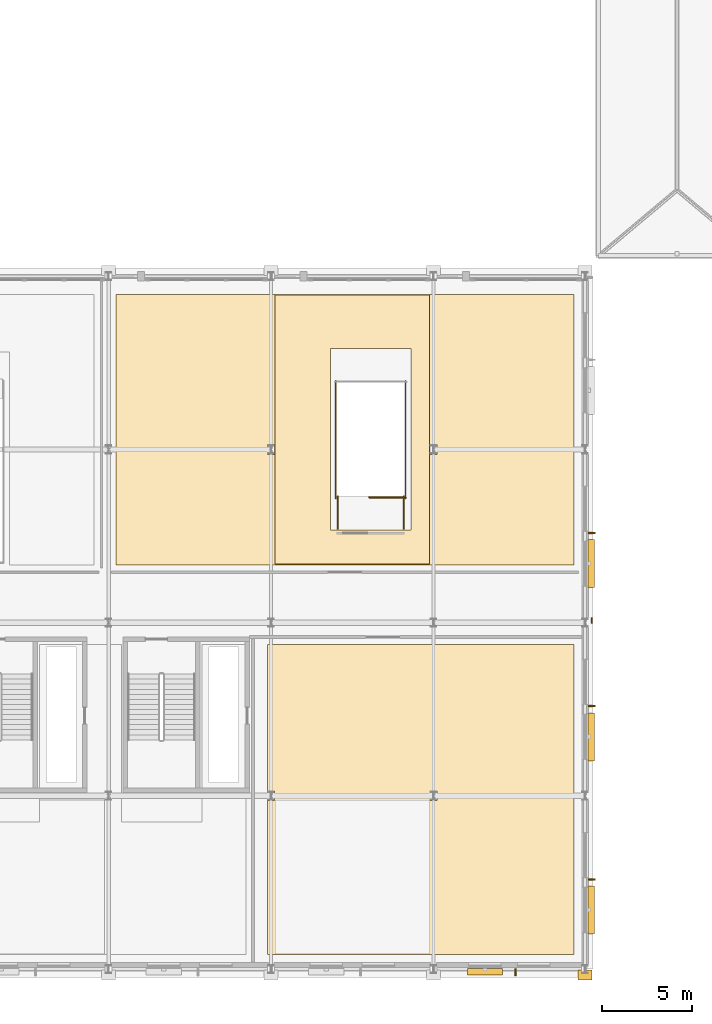
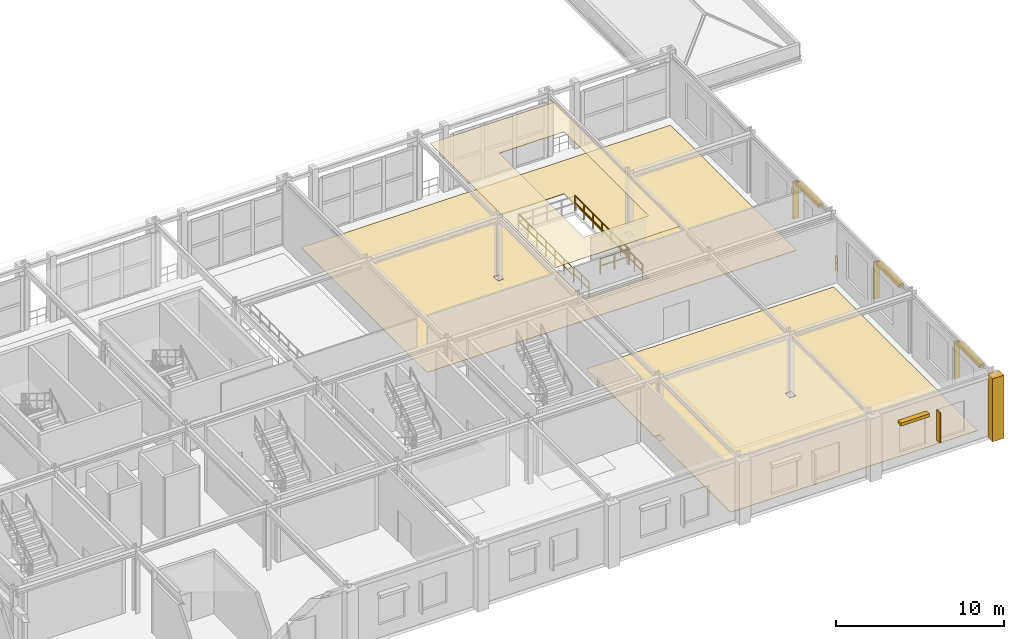
# One storey, part 115 of 125: 8 shading devices, 7 railings, 4 coverings.
"""IFC4 building model written with IfcOpenShell, lengths in metres."""

from ifc_helpers import new_model, si_unit, direction, frame, origin, origin_2d, place, context, subcontext, project, spatial, polyline, rectangle, outline, extrude, material, layer, layer_set, type_object, element, save


model = new_model("IFC4")

# Units and contexts
model_context = context("Model", 3, precision=1e-05, world=origin(), true_north=direction((0.0, 1.0)))
body_context = subcontext(model_context, "Body", "Model", "MODEL_VIEW")
ifc_project = project(units=[si_unit("LENGTHUNIT", "METRE"), si_unit("AREAUNIT", "SQUARE_METRE"), si_unit("VOLUMEUNIT", "CUBIC_METRE"), si_unit("PLANEANGLEUNIT", "RADIAN"), si_unit("MASSUNIT", "GRAM", prefix="KILO")], contexts=[model_context])

# Site, building, storey
site_placement = place(None, origin())
site = spatial("IfcSite", under=ifc_project, at=site_placement, CompositionType="ELEMENT")
building_placement = place(site_placement, origin())
building = spatial("IfcBuilding", under=site, at=building_placement, Name="Myrtia Square Station", CompositionType="ELEMENT")
storey_placement = place(building_placement, frame((0.0, 0.0, 6.0)))
storey = spatial("IfcBuildingStorey", under=building, at=storey_placement, Name="L01", CompositionType="ELEMENT", Elevation=6.0)

# Coverings
ifc_material_1 = material(Name="Pentelic marble ashlar", Category="masonry")
ifc_layer_1 = layer(ifc_material_1, 0.4599609375, Name="Pentelic marble ashlar")
ifc_layer_set_1 = layer_set([ifc_layer_1], Name="Pentelic marble ashlar")
covering_type_1 = type_object("IfcCoveringType", Name="COV-ARCH-ASHLAR", PredefinedType="CLADDING", material=ifc_layer_set_1)
covering_1_placement = place(storey_placement, frame((179.39990234375, -0.320068359375, -0.0400390625), z_axis=(0.0, 0.0, 1.0), x_axis=(1.0, 0.0, 0.0)))
element("IfcCovering", 1, at=covering_1_placement, inside=storey, type_object=covering_type_1, Name="Classical Pentelic ashlar pilaster 052", PredefinedType="CLADDING", context=body_context, shape_type="SweptSolid", body=[
    extrude(rectangle(XDim=0.780029296875, YDim=0.56005859375, at=origin_2d()), origin(), (0.0, 0.0, 1.0), 4.590087890625),
])
ifc_material_2 = material(Name="Gypsum plasterboard")
ifc_layer_2 = layer(ifc_material_2, 0.034912109375, Name="Gypsum plasterboard")
ifc_layer_set_2 = layer_set([ifc_layer_2], Name="Gypsum plasterboard")
covering_type_2 = type_object("IfcCoveringType", Name="COV-CEIL-ACOUSTIC", PredefinedType="CEILING", material=ifc_layer_set_2)
covering_2_placement = place(storey_placement, frame((0.0, 0.0, 4.5)))
element("IfcCovering", 2, at=covering_2_placement, inside=storey, type_object=covering_type_2, Name="Acoustic coffer ceiling L01-11", PredefinedType="CEILING", context=body_context, shape_type="SweptSolid", body=[
    extrude(outline(polyline([(170.780029296875, 37.35009765625), (170.780029296875, 28.85009765625), (170.781005859375, 28.828369140625), (170.7841796875, 28.80712890625), (170.785888671875, 28.800048828125), (170.7841796875, 28.79296875), (170.781005859375, 28.771484375), (170.780029296875, 28.75), (170.780029296875, 22.449951171875), (162.219970703125, 22.449951171875), (162.219970703125, 28.75), (162.218994140625, 28.771484375), (162.2158203125, 28.79296875), (162.214111328125, 28.800048828125), (162.2158203125, 28.80712890625), (162.218994140625, 28.828369140625), (162.219970703125, 28.85009765625), (162.219970703125, 37.35009765625), (170.780029296875, 37.35009765625)]), holes=[polyline([(169.75, 34.39990234375), (165.2900390625, 34.39990234375), (165.2900390625, 24.330078125), (169.75, 24.330078125), (169.75, 34.39990234375)])]), origin(), (0.0, 0.0, 1.0), 0.034912109375),
])
ifc_material_3 = material(Name="Terrazzo stone tile", Category="masonry")
ifc_layer_3 = layer(ifc_material_3, 0.02490234375, Name="Terrazzo stone tile")
ifc_layer_set_3 = layer_set([ifc_layer_3], Name="Terrazzo stone tile")
covering_type_3 = type_object("IfcCoveringType", Name="COV-FLR-TERRAZZO", PredefinedType="FLOORING", material=ifc_layer_set_3)
covering_3_placement = place(storey_placement, origin())
element("IfcCovering", 3, at=covering_3_placement, inside=storey, type_object=covering_type_3, Name="Terrazzo room flooring L01-11", PredefinedType="FLOORING", context=body_context, shape_type="SweptSolid", body=[
    extrude(outline(polyline([(153.39990234375, 37.39990234375), (178.800048828125, 37.39990234375), (178.800048828125, 22.39990234375), (153.39990234375, 22.39990234375), (153.39990234375, 37.39990234375)]), holes=[polyline([(162.18994140625, 29.06494140625), (161.81005859375, 29.06494140625), (161.81005859375, 28.534912109375), (162.18994140625, 28.534912109375), (162.18994140625, 29.06494140625)]), polyline([(171.18994140625, 29.06494140625), (170.81005859375, 29.06494140625), (170.81005859375, 28.534912109375), (171.18994140625, 28.534912109375), (171.18994140625, 29.06494140625)]), polyline([(169.75, 24.330078125), (169.75, 34.39990234375), (165.2900390625, 34.39990234375), (165.2900390625, 24.330078125), (169.75, 24.330078125)])]), origin(), (0.0, 0.0, 1.0), 0.02490234375),
])
covering_4_placement = place(storey_placement, origin())
element("IfcCovering", 4, at=covering_4_placement, inside=storey, type_object=covering_type_3, Name="Terrazzo room flooring L01-13", PredefinedType="FLOORING", context=body_context, shape_type="SweptSolid", body=[
    extrude(outline(polyline([(161.800048828125, 18.0), (178.800048828125, 18.0), (178.800048828125, 0.800048828125), (161.800048828125, 0.800048828125), (161.800048828125, 18.0)]), holes=[polyline([(162.18994140625, 9.864990234375), (161.81005859375, 9.864990234375), (161.81005859375, 9.3349609375), (162.18994140625, 9.3349609375), (162.18994140625, 9.864990234375)]), polyline([(171.18994140625, 9.3349609375), (171.18994140625, 9.864990234375), (170.81005859375, 9.864990234375), (170.81005859375, 9.3349609375), (171.18994140625, 9.3349609375)])]), origin(), (0.0, 0.0, 1.0), 0.02490234375),
])

# Railings
ifc_material_4 = material(Name="Wrought iron", Category="steel")
railing_type = type_object("IfcRailingType", Name="RL-INT-GUARD-1100", PredefinedType="BALUSTRADE", material=ifc_material_4)
railing_1_placement = place(storey_placement, frame((169.39990234375, 26.14990234375, 0.0)))
element("IfcRailing", 5, at=railing_1_placement, inside=storey, type_object=railing_type, Name="L01 ST71 top well guard 1", PredefinedType="BALUSTRADE", context=body_context, shape_type="SweptSolid", body=[
    extrude(rectangle(XDim=0.048095703125, YDim=0.048095703125, at=origin_2d()), frame((-0.03466796875, 0.0, 1.09619140625), z_axis=(-1.0, 0.0, 0.0), x_axis=(0.0, -1.0, 0.0)), (0.0, 0.0, 1.0), 0.91064453125),
    extrude(rectangle(XDim=0.048095703125, YDim=0.048095703125, at=origin_2d()), frame((-0.03466796875, 0.0, 0.58251953125), z_axis=(-1.0, 0.0, 0.0), x_axis=(0.0, -1.0, 0.0)), (0.0, 0.0, 1.0), 0.91064453125),
    extrude(rectangle(XDim=0.048095703125, YDim=0.048095703125, at=origin_2d()), frame((-1.0146484375, 0.0, 1.09619140625), z_axis=(-1.0, 0.0, 0.0), x_axis=(0.0, -1.0, 0.0)), (0.0, 0.0, 1.0), 0.91064453125),
    extrude(rectangle(XDim=0.048095703125, YDim=0.048095703125, at=origin_2d()), frame((-1.0146484375, 0.0, 0.58251953125), z_axis=(-1.0, 0.0, 0.0), x_axis=(0.0, -1.0, 0.0)), (0.0, 0.0, 1.0), 0.91064453125),
    extrude(rectangle(XDim=0.0439453125, YDim=0.0439453125, at=origin_2d()), origin(), (0.0, 0.0, 1.0), 1.1201171875),
    extrude(rectangle(XDim=0.0439453125, YDim=0.0439453125, at=origin_2d()), frame((-0.97998046875, 0.0, 0.0)), (0.0, 0.0, 1.0), 1.1201171875),
    extrude(rectangle(XDim=0.0439453125, YDim=0.0439453125, at=origin_2d()), frame((-1.9599609375, 0.0, 0.0)), (0.0, 0.0, 1.0), 1.1201171875),
])
railing_2_placement = place(storey_placement, frame((169.449951171875, 26.10009765625, 0.0)))
element("IfcRailing", 6, at=railing_2_placement, inside=storey, type_object=railing_type, Name="L01 ST71 top well guard 2", PredefinedType="BALUSTRADE", context=body_context, shape_type="SweptSolid", body=[
    extrude(rectangle(XDim=0.048095703125, YDim=0.048095703125, at=origin_2d()), frame((0.0, 0.03466796875, 1.09619140625), z_axis=(0.0, 1.0, 0.0), x_axis=(-1.0, 0.0, 0.0)), (0.0, 0.0, 1.0), 1.01416015625),
    extrude(rectangle(XDim=0.048095703125, YDim=0.048095703125, at=origin_2d()), frame((0.0, 0.03466796875, 0.58251953125), z_axis=(0.0, 1.0, 0.0), x_axis=(-1.0, 0.0, 0.0)), (0.0, 0.0, 1.0), 1.01416015625),
    extrude(rectangle(XDim=0.048095703125, YDim=0.048095703125, at=origin_2d()), frame((0.0, 1.117919921875, 1.09619140625), z_axis=(0.0, 1.0, 0.0), x_axis=(-1.0, 0.0, 0.0)), (0.0, 0.0, 1.0), 1.01416015625),
    extrude(rectangle(XDim=0.048095703125, YDim=0.048095703125, at=origin_2d()), frame((0.0, 1.117919921875, 0.58251953125), z_axis=(0.0, 1.0, 0.0), x_axis=(-1.0, 0.0, 0.0)), (0.0, 0.0, 1.0), 1.01416015625),
    extrude(rectangle(XDim=0.048095703125, YDim=0.048095703125, at=origin_2d()), frame((0.0, 2.201416015625, 1.09619140625), z_axis=(0.0, 1.0, 0.0), x_axis=(-1.0, 0.0, 0.0)), (0.0, 0.0, 1.0), 1.01416015625),
    extrude(rectangle(XDim=0.048095703125, YDim=0.048095703125, at=origin_2d()), frame((0.0, 2.201416015625, 0.58251953125), z_axis=(0.0, 1.0, 0.0), x_axis=(-1.0, 0.0, 0.0)), (0.0, 0.0, 1.0), 1.01416015625),
    extrude(rectangle(XDim=0.048095703125, YDim=0.048095703125, at=origin_2d()), frame((0.0, 3.28466796875, 1.09619140625), z_axis=(0.0, 1.0, 0.0), x_axis=(-1.0, 0.0, 0.0)), (0.0, 0.0, 1.0), 1.01416015625),
    extrude(rectangle(XDim=0.048095703125, YDim=0.048095703125, at=origin_2d()), frame((0.0, 3.28466796875, 0.58251953125), z_axis=(0.0, 1.0, 0.0), x_axis=(-1.0, 0.0, 0.0)), (0.0, 0.0, 1.0), 1.01416015625),
    extrude(rectangle(XDim=0.048095703125, YDim=0.048095703125, at=origin_2d()), frame((0.0, 4.367919921875, 1.09619140625), z_axis=(0.0, 1.0, 0.0), x_axis=(-1.0, 0.0, 0.0)), (0.0, 0.0, 1.0), 1.01416015625),
    extrude(rectangle(XDim=0.048095703125, YDim=0.048095703125, at=origin_2d()), frame((0.0, 4.367919921875, 0.58251953125), z_axis=(0.0, 1.0, 0.0), x_axis=(-1.0, 0.0, 0.0)), (0.0, 0.0, 1.0), 1.01416015625),
    extrude(rectangle(XDim=0.048095703125, YDim=0.048095703125, at=origin_2d()), frame((0.0, 5.451416015625, 1.09619140625), z_axis=(0.0, 1.0, 0.0), x_axis=(-1.0, 0.0, 0.0)), (0.0, 0.0, 1.0), 1.01416015625),
    extrude(rectangle(XDim=0.048095703125, YDim=0.048095703125, at=origin_2d()), frame((0.0, 5.451416015625, 0.58251953125), z_axis=(0.0, 1.0, 0.0), x_axis=(-1.0, 0.0, 0.0)), (0.0, 0.0, 1.0), 1.01416015625),
    extrude(rectangle(XDim=0.0439453125, YDim=0.0439453125, at=origin_2d()), origin(), (0.0, 0.0, 1.0), 1.1201171875),
    extrude(rectangle(XDim=0.0439453125, YDim=0.0439453125, at=origin_2d()), frame((0.0, 1.083251953125, 0.0)), (0.0, 0.0, 1.0), 1.1201171875),
    extrude(rectangle(XDim=0.0439453125, YDim=0.0439453125, at=origin_2d()), frame((0.0, 2.166748046875, 0.0)), (0.0, 0.0, 1.0), 1.1201171875),
    extrude(rectangle(XDim=0.0439453125, YDim=0.0439453125, at=origin_2d()), frame((0.0, 3.25, 0.0)), (0.0, 0.0, 1.0), 1.1201171875),
    extrude(rectangle(XDim=0.0439453125, YDim=0.0439453125, at=origin_2d()), frame((0.0, 4.333251953125, 0.0)), (0.0, 0.0, 1.0), 1.1201171875),
    extrude(rectangle(XDim=0.0439453125, YDim=0.0439453125, at=origin_2d()), frame((0.0, 5.416748046875, 0.0)), (0.0, 0.0, 1.0), 1.1201171875),
    extrude(rectangle(XDim=0.0439453125, YDim=0.0439453125, at=origin_2d()), frame((0.0, 6.5, 0.0)), (0.0, 0.0, 1.0), 1.1201171875),
])
railing_3_placement = place(storey_placement, frame((165.590087890625, 26.10009765625, 0.0)))
element("IfcRailing", 7, at=railing_3_placement, inside=storey, type_object=railing_type, Name="L01 ST71 top well guard 3", PredefinedType="BALUSTRADE", context=body_context, shape_type="SweptSolid", body=[
    extrude(rectangle(XDim=0.048095703125, YDim=0.048095703125, at=origin_2d()), frame((0.0, 0.03466796875, 1.09619140625), z_axis=(0.0, 1.0, 0.0), x_axis=(-1.0, 0.0, 0.0)), (0.0, 0.0, 1.0), 1.01416015625),
    extrude(rectangle(XDim=0.048095703125, YDim=0.048095703125, at=origin_2d()), frame((0.0, 0.03466796875, 0.58251953125), z_axis=(0.0, 1.0, 0.0), x_axis=(-1.0, 0.0, 0.0)), (0.0, 0.0, 1.0), 1.01416015625),
    extrude(rectangle(XDim=0.048095703125, YDim=0.048095703125, at=origin_2d()), frame((0.0, 1.117919921875, 1.09619140625), z_axis=(0.0, 1.0, 0.0), x_axis=(-1.0, 0.0, 0.0)), (0.0, 0.0, 1.0), 1.01416015625),
    extrude(rectangle(XDim=0.048095703125, YDim=0.048095703125, at=origin_2d()), frame((0.0, 1.117919921875, 0.58251953125), z_axis=(0.0, 1.0, 0.0), x_axis=(-1.0, 0.0, 0.0)), (0.0, 0.0, 1.0), 1.01416015625),
    extrude(rectangle(XDim=0.048095703125, YDim=0.048095703125, at=origin_2d()), frame((0.0, 2.201416015625, 1.09619140625), z_axis=(0.0, 1.0, 0.0), x_axis=(-1.0, 0.0, 0.0)), (0.0, 0.0, 1.0), 1.01416015625),
    extrude(rectangle(XDim=0.048095703125, YDim=0.048095703125, at=origin_2d()), frame((0.0, 2.201416015625, 0.58251953125), z_axis=(0.0, 1.0, 0.0), x_axis=(-1.0, 0.0, 0.0)), (0.0, 0.0, 1.0), 1.01416015625),
    extrude(rectangle(XDim=0.048095703125, YDim=0.048095703125, at=origin_2d()), frame((0.0, 3.28466796875, 1.09619140625), z_axis=(0.0, 1.0, 0.0), x_axis=(-1.0, 0.0, 0.0)), (0.0, 0.0, 1.0), 1.01416015625),
    extrude(rectangle(XDim=0.048095703125, YDim=0.048095703125, at=origin_2d()), frame((0.0, 3.28466796875, 0.58251953125), z_axis=(0.0, 1.0, 0.0), x_axis=(-1.0, 0.0, 0.0)), (0.0, 0.0, 1.0), 1.01416015625),
    extrude(rectangle(XDim=0.048095703125, YDim=0.048095703125, at=origin_2d()), frame((0.0, 4.367919921875, 1.09619140625), z_axis=(0.0, 1.0, 0.0), x_axis=(-1.0, 0.0, 0.0)), (0.0, 0.0, 1.0), 1.01416015625),
    extrude(rectangle(XDim=0.048095703125, YDim=0.048095703125, at=origin_2d()), frame((0.0, 4.367919921875, 0.58251953125), z_axis=(0.0, 1.0, 0.0), x_axis=(-1.0, 0.0, 0.0)), (0.0, 0.0, 1.0), 1.01416015625),
    extrude(rectangle(XDim=0.048095703125, YDim=0.048095703125, at=origin_2d()), frame((0.0, 5.451416015625, 1.09619140625), z_axis=(0.0, 1.0, 0.0), x_axis=(-1.0, 0.0, 0.0)), (0.0, 0.0, 1.0), 1.01416015625),
    extrude(rectangle(XDim=0.048095703125, YDim=0.048095703125, at=origin_2d()), frame((0.0, 5.451416015625, 0.58251953125), z_axis=(0.0, 1.0, 0.0), x_axis=(-1.0, 0.0, 0.0)), (0.0, 0.0, 1.0), 1.01416015625),
    extrude(rectangle(XDim=0.0439453125, YDim=0.0439453125, at=origin_2d()), origin(), (0.0, 0.0, 1.0), 1.1201171875),
    extrude(rectangle(XDim=0.0439453125, YDim=0.0439453125, at=origin_2d()), frame((0.0, 1.083251953125, 0.0)), (0.0, 0.0, 1.0), 1.1201171875),
    extrude(rectangle(XDim=0.0439453125, YDim=0.0439453125, at=origin_2d()), frame((0.0, 2.166748046875, 0.0)), (0.0, 0.0, 1.0), 1.1201171875),
    extrude(rectangle(XDim=0.0439453125, YDim=0.0439453125, at=origin_2d()), frame((0.0, 3.25, 0.0)), (0.0, 0.0, 1.0), 1.1201171875),
    extrude(rectangle(XDim=0.0439453125, YDim=0.0439453125, at=origin_2d()), frame((0.0, 4.333251953125, 0.0)), (0.0, 0.0, 1.0), 1.1201171875),
    extrude(rectangle(XDim=0.0439453125, YDim=0.0439453125, at=origin_2d()), frame((0.0, 5.416748046875, 0.0)), (0.0, 0.0, 1.0), 1.1201171875),
    extrude(rectangle(XDim=0.0439453125, YDim=0.0439453125, at=origin_2d()), frame((0.0, 6.5, 0.0)), (0.0, 0.0, 1.0), 1.1201171875),
])
for number, where, name in (
    (8, (169.35009765625, 24.39990234375, 0.0), "L01 ST71 top well guard 5"),
    (9, (165.68994140625, 24.39990234375, 0.0), "L01 ST71 top well guard 6"),
):
    element("IfcRailing", number, at=place(storey_placement, frame(where)), inside=storey, type_object=railing_type, Name=name, PredefinedType="BALUSTRADE", context=body_context, shape_type="SweptSolid", body=[
        extrude(rectangle(XDim=0.048095703125, YDim=0.048095703125, at=origin_2d()), frame((0.0, 0.03466796875, 1.09619140625), z_axis=(0.0, 1.0, 0.0), x_axis=(-1.0, 0.0, 0.0)), (0.0, 0.0, 1.0), 0.830810546875),
        extrude(rectangle(XDim=0.048095703125, YDim=0.048095703125, at=origin_2d()), frame((0.0, 0.03466796875, 0.58251953125), z_axis=(0.0, 1.0, 0.0), x_axis=(-1.0, 0.0, 0.0)), (0.0, 0.0, 1.0), 0.830810546875),
        extrude(rectangle(XDim=0.048095703125, YDim=0.048095703125, at=origin_2d()), frame((0.0, 0.9345703125, 1.09619140625), z_axis=(0.0, 1.0, 0.0), x_axis=(-1.0, 0.0, 0.0)), (0.0, 0.0, 1.0), 0.830810546875),
        extrude(rectangle(XDim=0.048095703125, YDim=0.048095703125, at=origin_2d()), frame((0.0, 0.9345703125, 0.58251953125), z_axis=(0.0, 1.0, 0.0), x_axis=(-1.0, 0.0, 0.0)), (0.0, 0.0, 1.0), 0.830810546875),
        extrude(rectangle(XDim=0.0439453125, YDim=0.0439453125, at=origin_2d()), origin(), (0.0, 0.0, 1.0), 1.1201171875),
        extrude(rectangle(XDim=0.0439453125, YDim=0.0439453125, at=origin_2d()), frame((0.0, 0.89990234375, 0.0)), (0.0, 0.0, 1.0), 1.1201171875),
        extrude(rectangle(XDim=0.0439453125, YDim=0.0439453125, at=origin_2d()), frame((0.0, 1.800048828125, 0.0)), (0.0, 0.0, 1.0), 1.1201171875),
    ])
railing_4_placement = place(storey_placement, frame((167.4599609375, 26.1201171875, 0.0)))
element("IfcRailing", 10, at=railing_4_placement, inside=storey, type_object=railing_type, Name="Interchange stair 7 well return guard", PredefinedType="BALUSTRADE", context=body_context, shape_type="SweptSolid", body=[
    extrude(rectangle(XDim=0.048095703125, YDim=0.048095703125, at=origin_2d()), frame((0.03466796875, 0.0, 1.09619140625), z_axis=(1.0, 0.0, 0.0), x_axis=(0.0, 1.0, 0.0)), (0.0, 0.0, 1.0), 0.9306640625),
    extrude(rectangle(XDim=0.048095703125, YDim=0.048095703125, at=origin_2d()), frame((0.03466796875, 0.0, 0.58251953125), z_axis=(1.0, 0.0, 0.0), x_axis=(0.0, 1.0, 0.0)), (0.0, 0.0, 1.0), 0.9306640625),
    extrude(rectangle(XDim=0.048095703125, YDim=0.048095703125, at=origin_2d()), frame((1.03466796875, 0.0, 1.09619140625), z_axis=(1.0, 0.0, 0.0), x_axis=(0.0, 1.0, 0.0)), (0.0, 0.0, 1.0), 0.9306640625),
    extrude(rectangle(XDim=0.048095703125, YDim=0.048095703125, at=origin_2d()), frame((1.03466796875, 0.0, 0.58251953125), z_axis=(1.0, 0.0, 0.0), x_axis=(0.0, 1.0, 0.0)), (0.0, 0.0, 1.0), 0.9306640625),
    extrude(rectangle(XDim=0.0439453125, YDim=0.0439453125, at=origin_2d()), origin(), (0.0, 0.0, 1.0), 1.1201171875),
    extrude(rectangle(XDim=0.0439453125, YDim=0.0439453125, at=origin_2d()), frame((1.0, 0.0, 0.0)), (0.0, 0.0, 1.0), 1.1201171875),
    extrude(rectangle(XDim=0.0439453125, YDim=0.0439453125, at=origin_2d()), frame((2.0, 0.0, 0.0)), (0.0, 0.0, 1.0), 1.1201171875),
])
railing_5_placement = place(storey_placement, frame((179.77001953125, 19.199951171875, 0.0)))
element("IfcRailing", 11, at=railing_5_placement, inside=storey, type_object=railing_type, Name="Perimeter slab edge balustrade L01-018", PredefinedType="BALUSTRADE", context=body_context, shape_type="SweptSolid", body=[
    extrude(rectangle(XDim=0.048095703125, YDim=0.048095703125, at=origin_2d()), frame((0.0, 0.03466796875, 1.09619140625), z_axis=(0.0, 1.0, 0.0), x_axis=(-1.0, 0.0, 0.0)), (0.0, 0.0, 1.0), 0.1796875),
    extrude(rectangle(XDim=0.048095703125, YDim=0.048095703125, at=origin_2d()), frame((0.0, 0.03466796875, 0.58251953125), z_axis=(0.0, 1.0, 0.0), x_axis=(-1.0, 0.0, 0.0)), (0.0, 0.0, 1.0), 0.1796875),
    extrude(rectangle(XDim=0.0439453125, YDim=0.0439453125, at=origin_2d()), origin(), (0.0, 0.0, 1.0), 1.1201171875),
    extrude(rectangle(XDim=0.0439453125, YDim=0.0439453125, at=origin_2d()), frame((0.0, 0.2490234375, 0.0)), (0.0, 0.0, 1.0), 1.1201171875),
])

# Shading devices
ifc_material_5 = material(Name="Dark bronze anodised aluminium", Category="aluminium")
shading_device_type_1 = type_object("IfcShadingDeviceType", Name="SHD-FIN-BRONZE", PredefinedType="USERDEFINED", material=ifc_material_5)
shading_device_1_placement = place(storey_placement, frame((175.548095703125, -0.169921875, 0.9501953125), z_axis=(0.0, 0.0, 1.0), x_axis=(1.0, 0.0, 0.0)))
element("IfcShadingDevice", 12, at=shading_device_1_placement, inside=storey, type_object=shading_device_type_1, Name="Vertical bronze solar fin SHF-018", ObjectType="FIN", PredefinedType="USERDEFINED", context=body_context, shape_type="SweptSolid", body=[
    extrude(rectangle(XDim=0.080078125, YDim=0.389892578125, at=origin_2d()), origin(), (0.0, 0.0, 1.0), 2.199951171875),
])
for number, where, z_axis, x_axis, name in (
    (13, (179.77001953125, 4.972900390625, 0.9501953125), (0.0, 0.0, 1.0), (0.0, 1.0, 0.0), "Vertical bronze solar fin SHF-027"),
    (14, (179.77001953125, 14.572998046875, 0.9501953125), (0.0, 0.0, 1.0), (0.0, 1.0, 0.0), "Vertical bronze solar fin SHF-028"),
    (15, (179.77001953125, 24.173095703125, 0.9501953125), (0.0, 0.0, 1.0), (0.0, 1.0, 0.0), "Vertical bronze solar fin SHF-029"),
):
    element("IfcShadingDevice", number, at=place(storey_placement, frame(where, z_axis=z_axis, x_axis=x_axis)), inside=storey, type_object=shading_device_type_1, Name=name, ObjectType="FIN", PredefinedType="USERDEFINED", context=body_context, shape_type="SweptSolid", body=[
        extrude(rectangle(XDim=0.080078125, YDim=0.389892578125, at=origin_2d()), origin(), (0.0, 0.0, 1.0), 2.699951171875),
    ])
shading_device_type_2 = type_object("IfcShadingDeviceType", Name="SHD-JALOUSIE-BRONZE", PredefinedType="JALOUSIE", material=ifc_material_5)
shading_device_2_placement = place(storey_placement, frame((173.85205078125, -0.14990234375, 3.08984375), z_axis=(0.0, 0.0, 1.0), x_axis=(1.0, 0.0, 0.0)))
element("IfcShadingDevice", 16, at=shading_device_2_placement, inside=storey, type_object=shading_device_type_2, Name="Mediterranean bronze solar louvre SHL-018", PredefinedType="JALOUSIE", context=body_context, shape_type="SweptSolid", body=[
    extrude(rectangle(XDim=1.9599609375, YDim=0.35009765625, at=origin_2d()), origin(), (0.0, 0.0, 1.0), 0.219970703125),
])
for number, where, z_axis, x_axis, name in (
    (17, (179.75, 3.277099609375, 3.58984375), (0.0, 0.0, 1.0), (0.0, 1.0, 0.0), "Mediterranean bronze solar louvre SHL-027"),
    (18, (179.75, 12.876953125, 3.58984375), (0.0, 0.0, 1.0), (0.0, 1.0, 0.0), "Mediterranean bronze solar louvre SHL-028"),
    (19, (179.75, 22.47705078125, 3.58984375), (0.0, 0.0, 1.0), (0.0, 1.0, 0.0), "Mediterranean bronze solar louvre SHL-029"),
):
    element("IfcShadingDevice", number, at=place(storey_placement, frame(where, z_axis=z_axis, x_axis=x_axis)), inside=storey, type_object=shading_device_type_2, Name=name, PredefinedType="JALOUSIE", context=body_context, shape_type="SweptSolid", body=[
        extrude(rectangle(XDim=2.659912109375, YDim=0.35009765625, at=origin_2d()), origin(), (0.0, 0.0, 1.0), 0.219970703125),
    ])

save(model, "model.ifc")
